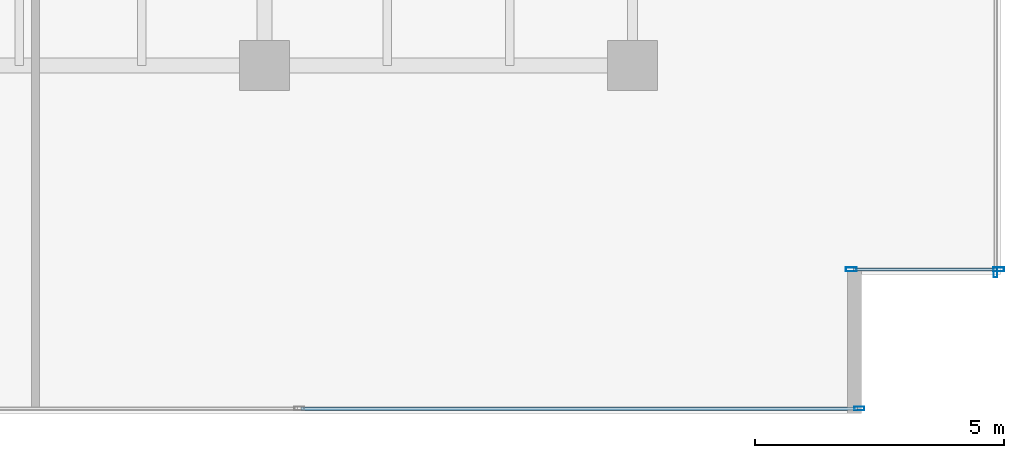
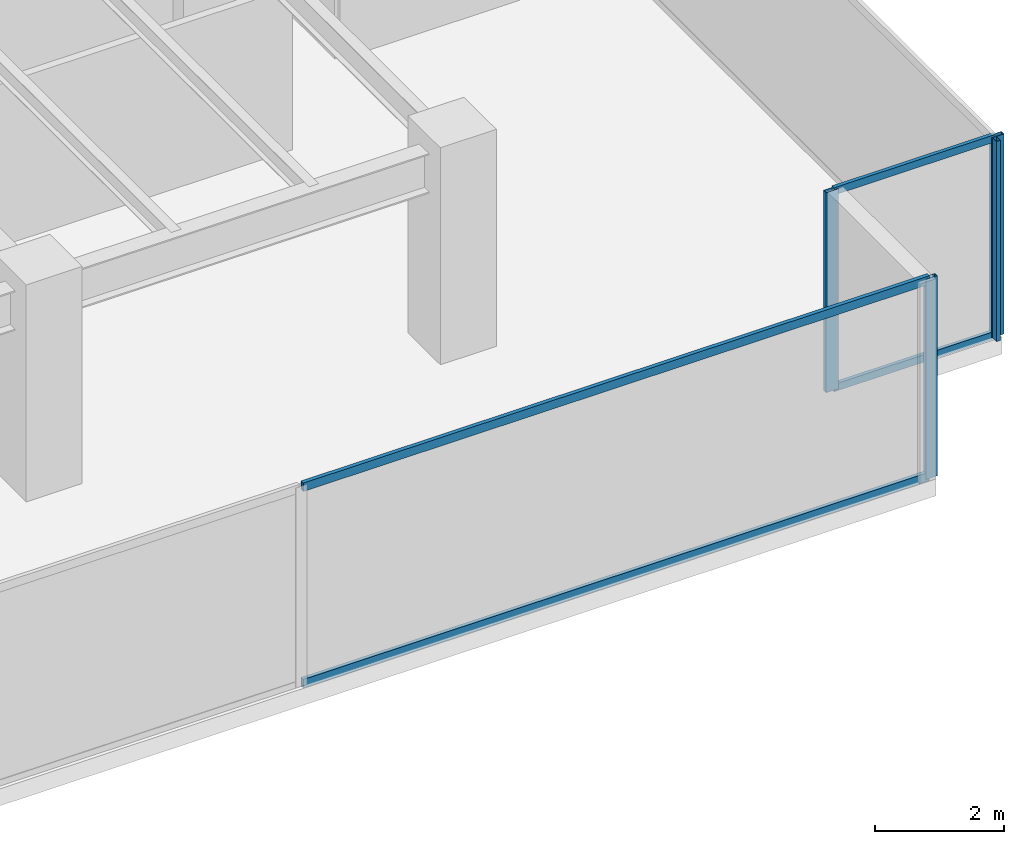
# One storey, part 23 of 35: 8 members, 3 elements without a shape of their own.
"""IFC4 building model written with IfcOpenShell, lengths in metres."""

from ifc_helpers import new_model, si_unit, direction, frame, origin, origin_2d, place, context, subcontext, project, spatial, hollow_rectangle, extrude, source, transform, mapped, material, layer, layer_set, material_profile, profile_set, type_object, type_shapes, element, aggregate, save


model = new_model("IFC4")

# Units and contexts
model_context = context("Model", 3, precision=1e-05, world=origin(), true_north=direction((0.0, 1.0)))
body_context = subcontext(model_context, "Body", "Model", "MODEL_VIEW")
ifc_project = project(units=[si_unit("LENGTHUNIT", "METRE"), si_unit("AREAUNIT", "SQUARE_METRE"), si_unit("VOLUMEUNIT", "CUBIC_METRE"), si_unit("PLANEANGLEUNIT", "RADIAN"), si_unit("MASSUNIT", "GRAM", prefix="KILO")], contexts=[model_context])

# Site, building, storey
site_placement = place(None, origin())
site = spatial("IfcSite", under=ifc_project, at=site_placement, CompositionType="ELEMENT")
building_placement = place(site_placement, origin())
building = spatial("IfcBuilding", under=site, at=building_placement, Name="Haelvirn Gate Laboratories", CompositionType="ELEMENT")
storey_placement = place(building_placement, frame((0.0, 0.0, 41.60009765625)))
storey = spatial("IfcBuildingStorey", under=building, at=storey_placement, Name="L10", CompositionType="ELEMENT", Elevation=41.60009765625)

# Curtain wall, members
ifc_material_1 = material(Name="Anodised bronze unitised aluminium & triple low-E glass", Category="aluminium")
ifc_layer_1 = layer(ifc_material_1, 0.18408203125, Name="CW-SYS-2")
ifc_layer_set_1 = layer_set([ifc_layer_1], Name="Anodised bronze unitised aluminium & triple low-E glass")
curtain_wall_type_1 = type_object("IfcCurtainWallType", Name="CW-SYS-2", PredefinedType="NOTDEFINED", material=ifc_layer_set_1)
curtain_wall_1_placement = place(storey_placement, origin())
curtain_wall_1 = element("IfcCurtainWall", 1, at=curtain_wall_1_placement, inside=storey, type_object=curtain_wall_type_1, Name="L10 Unitised Curtain Wall CW-L10-P0-E04-1", PredefinedType="NOTDEFINED")
ifc_material_2 = material(Name="Extruded aluminium 6063-T6 (anodised bronze)", Category="aluminium")
ifc_material_profile_1 = material_profile(ifc_material_2, hollow_rectangle(XDim=0.070068359375, YDim=0.159912109375, WallThickness=0.0048828125, at=origin_2d()), Name="CWT-160x70x5")
ifc_profile_set_1 = profile_set([ifc_material_profile_1], Name="Extruded aluminium 6063-T6 (anodised bronze)")
member_type_1 = type_object("IfcMemberType", Name="CWT-T160", PredefinedType="USERDEFINED", material=ifc_profile_set_1)
shared_shape_1 = source(origin(), body_context, "Body", "SweptSolid", [
    extrude(hollow_rectangle(XDim=0.070068359375, YDim=0.159912109375, WallThickness=0.0048828125, at=origin_2d()), origin(), (0.0, 0.0, 1.0), 11.1875),
])
type_shapes(member_type_1, [shared_shape_1])
member_1_placement = place(storey_placement, frame((60.737548828125, 0.10009765625, 0.034912109375), z_axis=(1.0, 0.0, 0.0), x_axis=(0.0, 1.0, 0.0)))
member_1 = element("IfcMember", 2, at=member_1_placement, type_object=member_type_1, Name="CW2 transom 2.1", ObjectType="TRANSOM", PredefinedType="USERDEFINED", context=body_context, shape_type="MappedRepresentation", body=[
    mapped(shared_shape_1, transform((0.0, 0.0, 0.0), scale=1.0)),
])
member_2_placement = place(storey_placement, frame((60.737548828125, 0.10009765625, 3.744873046875), z_axis=(1.0, 0.0, 0.0), x_axis=(0.0, 1.0, 0.0)))
member_2 = element("IfcMember", 3, at=member_2_placement, type_object=member_type_1, Name="CW2 transom 2.2", ObjectType="TRANSOM", PredefinedType="USERDEFINED", context=body_context, shape_type="MappedRepresentation", body=[
    mapped(shared_shape_1, transform((0.0, 0.0, 0.0), scale=1.0)),
])

ifc_layer_2 = layer(ifc_material_1, 0.181884765625, Name="CW-SYS-5")
ifc_layer_set_2 = layer_set([ifc_layer_2], Name="Anodised bronze unitised aluminium & triple low-E glass")
curtain_wall_type_2 = type_object("IfcCurtainWallType", Name="CW-SYS-5", PredefinedType="NOTDEFINED", material=ifc_layer_set_2)
curtain_wall_2_placement = place(storey_placement, origin())
curtain_wall_2 = element("IfcCurtainWall", 4, at=curtain_wall_2_placement, inside=storey, type_object=curtain_wall_type_2, Name="L10 Unitised Curtain Wall CW-L10-P0-E06-1", PredefinedType="NOTDEFINED")
ifc_material_profile_2 = material_profile(ifc_material_2, hollow_rectangle(XDim=0.06494140625, YDim=0.139892578125, WallThickness=0.00390625, at=origin_2d()), Name="CWT-140x65x4")
ifc_profile_set_2 = profile_set([ifc_material_profile_2], Name="Extruded aluminium 6063-T6 (anodised bronze)")
member_type_2 = type_object("IfcMemberType", Name="CWT-T140", PredefinedType="USERDEFINED", material=ifc_profile_set_2)
shared_shape_2 = source(origin(), body_context, "Body", "SweptSolid", [
    extrude(hollow_rectangle(XDim=0.06494140625, YDim=0.139892578125, WallThickness=0.00390625, at=origin_2d()), origin(), (0.0, 0.0, 1.0), 2.8798828125),
])
type_shapes(member_type_2, [shared_shape_2])
member_3_placement = place(storey_placement, frame((71.840087890625, 2.89990234375, 0.032470703125), z_axis=(1.0, 0.0, 0.0), x_axis=(0.0, 1.0, 0.0)))
member_3 = element("IfcMember", 5, at=member_3_placement, type_object=member_type_2, Name="CW5 transom 1.1", ObjectType="TRANSOM", PredefinedType="USERDEFINED", context=body_context, shape_type="MappedRepresentation", body=[
    mapped(shared_shape_2, transform((0.0, 0.0, 0.0), scale=1.0)),
])
member_4_placement = place(storey_placement, frame((71.840087890625, 2.89990234375, 3.747314453125), z_axis=(1.0, 0.0, 0.0), x_axis=(0.0, 1.0, 0.0)))
member_4 = element("IfcMember", 6, at=member_4_placement, type_object=member_type_2, Name="CW5 transom 1.2", ObjectType="TRANSOM", PredefinedType="USERDEFINED", context=body_context, shape_type="MappedRepresentation", body=[
    mapped(shared_shape_2, transform((0.0, 0.0, 0.0), scale=1.0)),
])

# Member
ifc_material_profile_3 = material_profile(ifc_material_2, hollow_rectangle(XDim=0.074951171875, YDim=0.199951171875, WallThickness=0.0048828125, at=origin_2d()), Name="CWM-200x75x5")
ifc_profile_set_3 = profile_set([ifc_material_profile_3], Name="Extruded aluminium 6063-T6 (anodised bronze)")
member_type_3 = type_object("IfcMemberType", Name="CWM-T200", PredefinedType="MULLION", material=ifc_profile_set_3)
shared_shape_3 = source(origin(), body_context, "Body", "SweptSolid", [
    extrude(hollow_rectangle(XDim=0.074951171875, YDim=0.199951171875, WallThickness=0.0048828125, at=origin_2d()), origin(), (0.0, 0.0, 1.0), 3.77978515625),
])
type_shapes(member_type_3, [shared_shape_3])
member_5_placement = place(storey_placement, frame((71.96240234375, 0.10009765625, 0.0), z_axis=(0.0, 0.0, 1.0), x_axis=(0.0, 1.0, 0.0)))
member_5 = element("IfcMember", 7, at=member_5_placement, type_object=member_type_3, Name="CW2 mullion 3", PredefinedType="MULLION", context=body_context, shape_type="MappedRepresentation", body=[
    mapped(shared_shape_3, transform((0.0, 0.0, 0.0), scale=1.0)),
])

aggregate(curtain_wall_1, [member_5, member_1, member_2])

# Curtain wall, member
curtain_wall_3_placement = place(storey_placement, origin())
curtain_wall_3 = element("IfcCurtainWall", 8, at=curtain_wall_3_placement, inside=storey, type_object=curtain_wall_type_1, Name="L10 Unitised Curtain Wall CW-L10-P0-E07", PredefinedType="NOTDEFINED")
member_6_placement = place(storey_placement, frame((74.699951171875, 2.83740234375, 0.0), z_axis=(0.0, 0.0, 1.0), x_axis=(-1.0, 0.0, 0.0)))
member_6 = element("IfcMember", 9, at=member_6_placement, type_object=member_type_3, Name="CW2 mullion 1", PredefinedType="MULLION", context=body_context, shape_type="MappedRepresentation", body=[
    mapped(shared_shape_3, transform((0.0, 0.0, 0.0), scale=1.0)),
])
aggregate(curtain_wall_3, [member_6])

# Member
ifc_material_profile_4 = material_profile(ifc_material_2, hollow_rectangle(XDim=0.080078125, YDim=0.219970703125, WallThickness=0.006103515625, at=origin_2d()), Name="CWM-220x80x6")
ifc_profile_set_4 = profile_set([ifc_material_profile_4], Name="Extruded aluminium 6063-T6 (anodised bronze)")
member_type_4 = type_object("IfcMemberType", Name="CWM-T220", PredefinedType="MULLION", material=ifc_profile_set_4)
shared_shape_4 = source(origin(), body_context, "Body", "SweptSolid", [
    extrude(hollow_rectangle(XDim=0.080078125, YDim=0.219970703125, WallThickness=0.006103515625, at=origin_2d()), origin(), (0.0, 0.0, 1.0), 3.77978515625),
])
type_shapes(member_type_4, [shared_shape_4])
member_7_placement = place(storey_placement, frame((71.800048828125, 2.89990234375, 0.0), z_axis=(0.0, 0.0, 1.0), x_axis=(0.0, 1.0, 0.0)))
member_7 = element("IfcMember", 10, at=member_7_placement, type_object=member_type_4, Name="CW5 mullion 1", PredefinedType="MULLION", context=body_context, shape_type="MappedRepresentation", body=[
    mapped(shared_shape_4, transform((0.0, 0.0, 0.0), scale=1.0)),
])

member_8_placement = place(storey_placement, frame((74.760009765625, 2.89990234375, 0.0), z_axis=(0.0, 0.0, 1.0), x_axis=(0.0, 1.0, 0.0)))
member_8 = element("IfcMember", 11, at=member_8_placement, type_object=member_type_4, Name="CW5 mullion 2", PredefinedType="MULLION", context=body_context, shape_type="MappedRepresentation", body=[
    mapped(shared_shape_4, transform((0.0, 0.0, 0.0), scale=1.0)),
])

aggregate(curtain_wall_2, [member_7, member_8, member_3, member_4])

save(model, "model.ifc")
